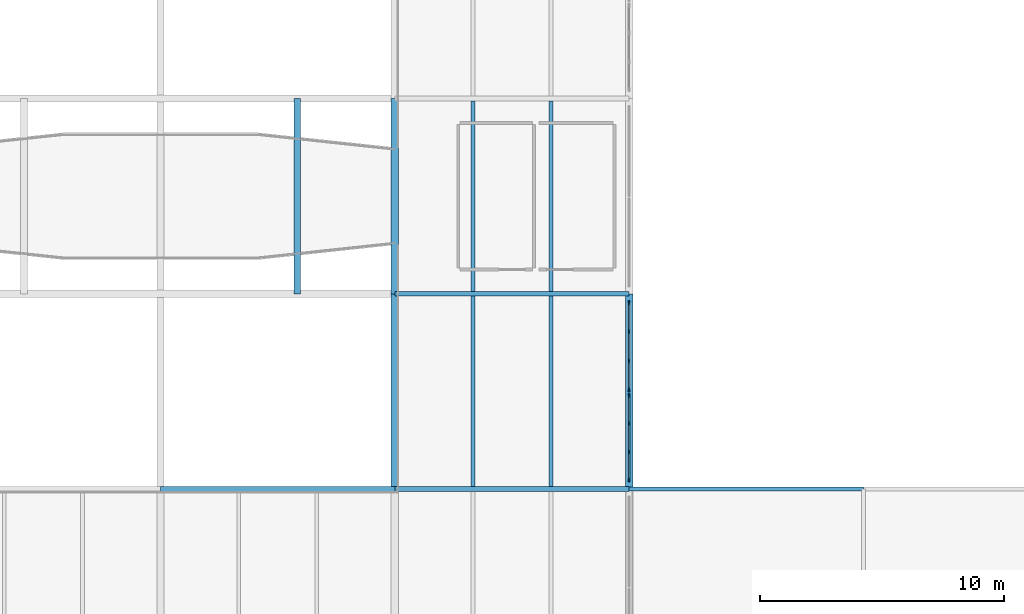
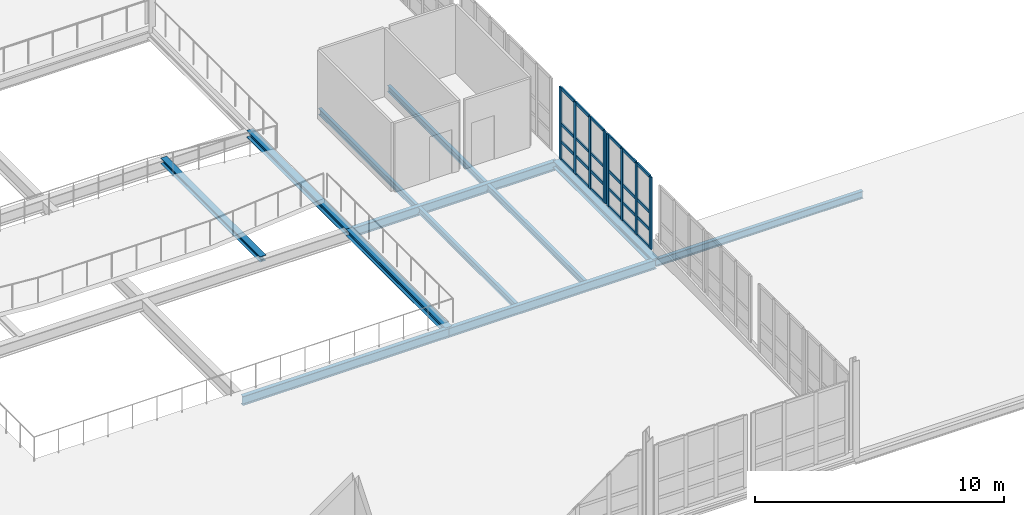
# One storey, part 30 of 73: 32 members, 12 beams, 2 elements without a shape of their own.
"""IFC4 building model written with IfcOpenShell, lengths in metres."""

import ifcopenshell
import ifcopenshell.guid

model = None  # the IFC model being written
_history = None  # IfcOwnerHistory: only IFC2X3 demands one
_inside = {}  # id of a spatial element -> (the spatial element, [elements in it])
_under = {}  # id of a project, library or spatial element -> (it, [spatial elements below it])
_declared = {}  # id of a project -> (the project, [libraries it declares])
_typed = {}  # id of a type object -> (the type object, [elements of that type])
_made_of = {}  # id of a material, layer set ... -> (it, [elements and type objects made of it])


def new_model(schema):
    """Start an empty IFC model of exactly this schema.

    Asked for "IFC4X3", IfcOpenShell would pick the latest addendum, in which some entities
    have other attributes; the version numbers below select the first issue.
    IFC2X3 requires an IfcOwnerHistory on every rooted entity: one is made here for all.
    """
    global model, _history
    if schema == "IFC4X3":
        model = ifcopenshell.file(schema_version=(4, 3, 0, 0))
    else:
        model = ifcopenshell.file(schema=schema)
    _inside.clear()
    _under.clear()
    _declared.clear()
    _typed.clear()
    _made_of.clear()
    _history = None
    if model.schema == "IFC2X3":
        org = make("IfcOrganization", Name="unknown")
        user = make(
            "IfcPersonAndOrganization",
            ThePerson=make("IfcPerson", FamilyName="unknown"),
            TheOrganization=org,
        )
        app = make(
            "IfcApplication",
            ApplicationDeveloper=org,
            Version="unknown",
            ApplicationFullName="unknown",
            ApplicationIdentifier="unknown",
        )
        _history = make(
            "IfcOwnerHistory",
            OwningUser=user,
            OwningApplication=app,
            ChangeAction="ADDED",
            CreationDate=0,
        )
    return model


def make(cls, **values):
    """One entity of the class cls with the attributes given. An attribute that is None is left unset."""
    return model.create_entity(
        cls, **{name: value for name, value in values.items() if value is not None}
    )


def rooted(cls, **values):
    """An entity with a GlobalId (a new one), such as an element, a storey or a relation."""
    return make(cls, GlobalId=ifcopenshell.guid.new(), OwnerHistory=_history, **values)


def si_unit(unit_type, name, prefix=None):
    """IfcSIUnit, for example si_unit("LENGTHUNIT", "METRE", prefix="MILLI")."""
    return make("IfcSIUnit", UnitType=unit_type, Prefix=prefix, Name=name)


def assignment(units):
    """IfcUnitAssignment: the units of a project."""
    return None if units is None else make("IfcUnitAssignment", Units=units)


def point(xyz):
    """IfcCartesianPoint."""
    return None if xyz is None else make("IfcCartesianPoint", Coordinates=xyz)


def direction(xyz):
    """IfcDirection."""
    return None if xyz is None else make("IfcDirection", DirectionRatios=xyz)


def frame(location, z_axis=None, x_axis=None):
    """IfcAxis2Placement3D, a coordinate frame: its origin and axes. An axis left out is left unset."""
    return make(
        "IfcAxis2Placement3D",
        Location=point(location),
        Axis=direction(z_axis),
        RefDirection=direction(x_axis),
    )


def frame_2d(location, x_axis=None):
    """IfcAxis2Placement2D, a coordinate frame in the plane: its origin and x axis."""
    return make(
        "IfcAxis2Placement2D", Location=point(location), RefDirection=direction(x_axis)
    )


def origin():
    """The frame at (0, 0, 0) with its axes left unset."""
    return frame((0.0, 0.0, 0.0))


def origin_2d():
    """The frame at (0, 0) in the plane with its x axis left unset."""
    return frame_2d((0.0, 0.0))


def place(relative_to, where):
    """IfcLocalPlacement: puts the frame where relative to a parent placement (None: the world)."""
    return make(
        "IfcLocalPlacement", PlacementRelTo=relative_to, RelativePlacement=where
    )


def context(
    kind, dimensions, precision=None, world=None, true_north=None, identifier=None
):
    """IfcGeometricRepresentationContext, for example the 3D "Model" context."""
    return make(
        "IfcGeometricRepresentationContext",
        ContextIdentifier=identifier,
        ContextType=kind,
        CoordinateSpaceDimension=dimensions,
        Precision=precision,
        WorldCoordinateSystem=world,
        TrueNorth=true_north,
    )


def subcontext(parent, identifier, kind, view, scale=None):
    """IfcGeometricRepresentationSubContext, for example "Body" below "Model"."""
    return make(
        "IfcGeometricRepresentationSubContext",
        ContextIdentifier=identifier,
        ContextType=kind,
        ParentContext=parent,
        TargetScale=scale,
        TargetView=view,
    )


def project(units=None, contexts=None):
    """IfcProject with its units and contexts."""
    return rooted(
        "IfcProject",
        Name="project",
        RepresentationContexts=contexts,
        UnitsInContext=assignment(units),
    )


def spatial(cls, under=None, at=None, **own):
    """A site, building, storey or space (cls), placed at a placement, below another one or the project."""
    s = rooted(cls, ObjectPlacement=at, **own)
    if under is not None:
        _under.setdefault(under.id(), (under, []))[1].append(s)
    return s


def profile(cls, at=None, kind="AREA", **sizes):
    """A parametric profile (cls). Its sizes go by their IFC names, for example OverallWidth=200.0."""
    return make(cls, ProfileType=kind, Position=at, **sizes)


def rectangle(**sizes):
    """IfcRectangleProfileDef."""
    return profile("IfcRectangleProfileDef", **sizes)


def i_section(**sizes):
    """IfcIShapeProfileDef."""
    return profile("IfcIShapeProfileDef", **sizes)


def extrude(swept, where, along, depth):
    """IfcExtrudedAreaSolid: the profile swept, set in the frame where, extruded along a direction by depth."""
    return make(
        "IfcExtrudedAreaSolid",
        SweptArea=swept,
        Position=where,
        ExtrudedDirection=direction(along),
        Depth=depth,
    )


def shape(context_of_items, identifier, shape_type, items):
    """IfcShapeRepresentation: the items that make up one representation, for example the "Body"."""
    return make(
        "IfcShapeRepresentation",
        ContextOfItems=context_of_items,
        RepresentationIdentifier=identifier,
        RepresentationType=shape_type,
        Items=items,
    )


def material(Name=None, Category=None):
    """IfcMaterial."""
    return make("IfcMaterial", Name=Name, Category=Category)


def layer(
    of_material, thickness, ventilated=None, Name=None, Category=None, Priority=None
):
    """IfcMaterialLayer: one layer of a wall or slab, of a material (None: an air gap)."""
    return make(
        "IfcMaterialLayer",
        Material=of_material,
        LayerThickness=thickness,
        IsVentilated=ventilated,
        Name=Name,
        Category=Category,
        Priority=Priority,
    )


def layer_set(layers, Name=None):
    """IfcMaterialLayerSet."""
    return make("IfcMaterialLayerSet", MaterialLayers=layers, LayerSetName=Name)


def material_profile(
    of_material, cross_section, Name=None, Category=None, Priority=None
):
    """IfcMaterialProfile: a cross section and its material."""
    return make(
        "IfcMaterialProfile",
        Name=Name,
        Material=of_material,
        Profile=cross_section,
        Priority=Priority,
        Category=Category,
    )


def profile_set(profiles, Name=None, composite=None):
    """IfcMaterialProfileSet."""
    return make(
        "IfcMaterialProfileSet",
        Name=Name,
        MaterialProfiles=profiles,
        CompositeProfile=composite,
    )


def made_of(thing, what):
    """Note that an element or type object is made of a material, layer set ...; save() writes the relation."""
    if what is not None:
        _made_of.setdefault(what.id(), (what, []))[1].append(thing)
    return thing


def type_object(cls, material=None, **own):
    """A type object (cls), such as IfcWallType, which elements share."""
    return made_of(rooted(cls, **own), material)


def element(
    cls,
    number,
    at=None,
    inside=None,
    cuts=None,
    type_object=None,
    material=None,
    context=None,
    identifier="Body",
    shape_type=None,
    held_by="IfcProductDefinitionShape",
    body=None,
    shapes=None,
    **own,
):
    """One element of the class cls, such as IfcWall. Its Tag is "e" and its number.

    at: its placement. inside: the storey or other place that contains it. cuts: it is an
    opening in that element (IfcRelVoidsElement). A single representation is given by context,
    identifier, shape_type and body (its items); several are given by shapes. held_by: the class
    of the entity that holds the representations. save() writes the other relations.
    """
    e = rooted(cls, Tag="e%d" % number, ObjectPlacement=at, **own)
    if body is not None:
        shapes = [shape(context, identifier, shape_type, body)]
    if shapes is not None:
        e.Representation = make(held_by, Representations=shapes)
    if inside is not None:
        _inside.setdefault(inside.id(), (inside, []))[1].append(e)
    if cuts is not None:
        rooted(
            "IfcRelVoidsElement", RelatingBuildingElement=cuts, RelatedOpeningElement=e
        )
    if type_object is not None:
        _typed.setdefault(type_object.id(), (type_object, []))[1].append(e)
    return made_of(e, material)


def aggregate(whole, parts):
    """IfcRelAggregates: a whole, such as a stair, and the parts it consists of."""
    return rooted("IfcRelAggregates", RelatingObject=whole, RelatedObjects=parts)


def save(model, path):
    """Write the relations noted so far, then the file.

    IfcRelAggregates (storeys below a building ...), IfcRelContainedInSpatialStructure (elements
    in a storey), IfcRelDefinesByType, IfcRelAssociatesMaterial and IfcRelDeclares: one each for
    every whole, place, type object, material and project.
    """
    for whole, parts in _under.values():
        aggregate(whole, parts)
    for where, things in _inside.values():
        rooted(
            "IfcRelContainedInSpatialStructure",
            RelatedElements=things,
            RelatingStructure=where,
        )
    for kind, things in _typed.values():
        rooted("IfcRelDefinesByType", RelatedObjects=things, RelatingType=kind)
    for what, things in _made_of.values():
        rooted("IfcRelAssociatesMaterial", RelatedObjects=things, RelatingMaterial=what)
    for by, libraries in _declared.values():
        rooted("IfcRelDeclares", RelatingContext=by, RelatedDefinitions=libraries)
    model.write(path)


model = new_model("IFC4")

# Units and contexts
model_context = context("Model", 3, precision=1e-05, world=origin(), true_north=direction((0.0, 1.0)))
body_context = subcontext(model_context, "Body", "Model", "MODEL_VIEW")
ifc_project = project(units=[si_unit("LENGTHUNIT", "METRE"), si_unit("AREAUNIT", "SQUARE_METRE"), si_unit("VOLUMEUNIT", "CUBIC_METRE"), si_unit("PLANEANGLEUNIT", "RADIAN"), si_unit("MASSUNIT", "GRAM", prefix="KILO")], contexts=[model_context])

# Site, building, storey
site_placement = place(None, origin())
site = spatial("IfcSite", under=ifc_project, at=site_placement, CompositionType="ELEMENT")
building_placement = place(site_placement, origin())
building = spatial("IfcBuilding", under=site, at=building_placement, Name="Alderhovde Museum", CompositionType="ELEMENT")
storey_placement = place(building_placement, frame((0.0, 0.0, 12.89990234375)))
storey = spatial("IfcBuildingStorey", under=building, at=storey_placement, Name="L03", CompositionType="ELEMENT", Elevation=12.89990234375)

# Beams
ifc_material_1 = material(Name="Steel S355J2", Category="steel")
ifc_material_profile_1 = material_profile(ifc_material_1, i_section(OverallWidth=0.280029296875, OverallDepth=0.27001953125, WebThickness=0.008056640625, FlangeThickness=0.012939453125, FilletRadius=0.02392578125, at=origin_2d()), Name="HEA 280")
ifc_profile_set_1 = profile_set([ifc_material_profile_1], Name="Steel S355J2")
beam_type_1 = type_object("IfcBeamType", Name="BM-HEA280", PredefinedType="BEAM", material=ifc_profile_set_1)
beam_1_placement = place(storey_placement, frame((101.60009765625, 56.0, -0.35498046875), z_axis=(0.0, 1.0, 0.0), x_axis=(-1.0, 0.0, 0.0)))
element("IfcBeam", 1, at=beam_1_placement, inside=storey, type_object=beam_type_1, Name="L03 Atrium Bridge Bearer X=101.6", PredefinedType="BEAM", context=body_context, shape_type="SweptSolid", body=[
    extrude(i_section(OverallWidth=0.280029296875, OverallDepth=0.27001953125, WebThickness=0.008056640625, FlangeThickness=0.012939453125, FilletRadius=0.02392578125, at=origin_2d()), origin(), (0.0, 0.0, 1.0), 8.0),
])
ifc_material_2 = material(Name="Steel S355J2", Category="steel")
ifc_material_profile_2 = material_profile(ifc_material_2, i_section(OverallWidth=0.300048828125, OverallDepth=0.330078125, WebThickness=0.009521484375, FlangeThickness=0.0166015625, FilletRadius=0.027099609375, at=origin_2d()), Name="HEA 340")
ifc_profile_set_2 = profile_set([ifc_material_profile_2], Name="Steel S355J2")
beam_type_2 = type_object("IfcBeamType", Name="BM-HEA340", PredefinedType="BEAM", material=ifc_profile_set_2)
for number, where, z_axis, x_axis, name in (
    (2, (105.60009765625, 48.0, -0.4248046875), (0.0, 1.0, 0.0), (-1.0, 0.0, 0.0), "L03 Grid Beam X=105.6 (48.0 TO 56.0)"),
    (3, (105.60009765625, 56.0, -0.4248046875), (0.0, 1.0, 0.0), (-1.0, 0.0, 0.0), "L03 Grid Beam X=105.6 (56.0 TO 64.0)"),
    (4, (115.199951171875, 48.0, -0.4248046875), (0.0, 1.0, 0.0), (-1.0, 0.0, 0.0), "L03 Grid Beam X=115.2 (48.0 TO 56.0)"),
):
    element("IfcBeam", number, at=place(storey_placement, frame(where, z_axis=z_axis, x_axis=x_axis)), inside=storey, type_object=beam_type_2, Name=name, PredefinedType="BEAM", context=body_context, shape_type="SweptSolid", body=[
        extrude(i_section(OverallWidth=0.300048828125, OverallDepth=0.330078125, WebThickness=0.009521484375, FlangeThickness=0.0166015625, FilletRadius=0.027099609375, at=origin_2d()), origin(), (0.0, 0.0, 1.0), 8.0),
    ])
ifc_material_3 = material(Name="Steel S355J2", Category="steel")
ifc_material_profile_3 = material_profile(ifc_material_3, i_section(OverallWidth=0.169921875, OverallDepth=0.360107421875, WebThickness=0.008056640625, FlangeThickness=0.0126953125, FilletRadius=0.01806640625, at=origin_2d()), Name="IPE 360")
ifc_profile_set_3 = profile_set([ifc_material_profile_3], Name="Steel S355J2")
beam_type_3 = type_object("IfcBeamType", Name="BM-IPE360", PredefinedType="BEAM", material=ifc_profile_set_3)
beam_2_placement = place(storey_placement, frame((115.199951171875, 48.0, -0.43994140625), z_axis=(1.0, 0.0, 0.0), x_axis=(0.0, 1.0, 0.0)))
element("IfcBeam", 5, at=beam_2_placement, inside=storey, type_object=beam_type_3, Name="L03 South Step Roof Beam Y=48", PredefinedType="BEAM", context=body_context, shape_type="SweptSolid", body=[
    extrude(i_section(OverallWidth=0.169921875, OverallDepth=0.360107421875, WebThickness=0.008056640625, FlangeThickness=0.0126953125, FilletRadius=0.01806640625, at=origin_2d()), origin(), (0.0, 0.0, 1.0), 9.60009765625),
])
ifc_material_4 = material(Name="Steel S355J2", Category="steel")
ifc_material_profile_4 = material_profile(ifc_material_4, i_section(OverallWidth=0.18994140625, OverallDepth=0.449951171875, WebThickness=0.009521484375, FlangeThickness=0.0146484375, FilletRadius=0.02099609375, at=origin_2d()), Name="IPE 450")
ifc_profile_set_4 = profile_set([ifc_material_profile_4], Name="Steel S355J2")
beam_type_4 = type_object("IfcBeamType", Name="BM-IPE450", PredefinedType="BEAM", material=ifc_profile_set_4)
beam_3_placement = place(storey_placement, frame((96.0, 48.0, -0.48486328125), z_axis=(1.0, 0.0, 0.0), x_axis=(0.0, 1.0, 0.0)))
element("IfcBeam", 6, at=beam_3_placement, inside=storey, type_object=beam_type_4, Name="L03 Grid Beam Y=48.0 (96.0 TO 105.6)", PredefinedType="BEAM", context=body_context, shape_type="SweptSolid", body=[
    extrude(i_section(OverallWidth=0.18994140625, OverallDepth=0.449951171875, WebThickness=0.009521484375, FlangeThickness=0.0146484375, FilletRadius=0.02099609375, at=origin_2d()), origin(), (0.0, 0.0, 1.0), 9.60009765625),
])
for number, where, z_axis, x_axis, name in (
    (7, (105.60009765625, 48.0, -0.48486328125), (1.0, 0.0, 0.0), (0.0, 1.0, 0.0), "L03 Grid Beam Y=48.0 (105.6 TO 115.2)"),
    (8, (105.60009765625, 56.0, -0.48486328125), (1.0, 0.0, 0.0), (0.0, 1.0, 0.0), "L03 Grid Beam Y=56.0 (105.6 TO 115.2)"),
):
    element("IfcBeam", number, at=place(storey_placement, frame(where, z_axis=z_axis, x_axis=x_axis)), inside=storey, type_object=beam_type_4, Name=name, PredefinedType="BEAM", context=body_context, shape_type="SweptSolid", body=[
        extrude(i_section(OverallWidth=0.18994140625, OverallDepth=0.449951171875, WebThickness=0.009521484375, FlangeThickness=0.0146484375, FilletRadius=0.02099609375, at=origin_2d()), origin(), (0.0, 0.0, 1.0), 9.599853515625),
    ])

# Curtain wall, members
ifc_material_5 = material(Name="Triple-Glazed Bronze-Anodised Curtain Wall", Category="glass")
ifc_layer_1 = layer(ifc_material_5, 0.179931640625)
ifc_layer_set_1 = layer_set([ifc_layer_1], Name="Triple-Glazed Bronze-Anodised Curtain Wall")
curtain_wall_type_1 = type_object("IfcCurtainWallType", Name="CW-UNIT-350x354", PredefinedType="USERDEFINED", material=ifc_layer_set_1)
curtain_wall_1_placement = place(storey_placement, origin())
curtain_wall_1 = element("IfcCurtainWall", 9, at=curtain_wall_1_placement, inside=storey, type_object=curtain_wall_type_1, Name="L03 Unitised Curtain Wall 72", ObjectType="UNITISED CURTAIN WALL", PredefinedType="USERDEFINED")
ifc_material_6 = material(Name="Bronze-Anodised Aluminium EN AW-6063-T6", Category="aluminium")
ifc_material_profile_5 = material_profile(ifc_material_6, rectangle(XDim=0.06494140625, YDim=0.179931640625, at=origin_2d()), Name="MULLION 65x180")
ifc_profile_set_5 = profile_set([ifc_material_profile_5], Name="Bronze-Anodised Aluminium EN AW-6063-T6")
member_type_1 = type_object("IfcMemberType", Name="CWM-65x180", PredefinedType="MULLION", material=ifc_profile_set_5)
member_1_placement = place(storey_placement, frame((115.199951171875, 48.382568359375, 0.0), z_axis=(0.0, 0.0, 1.0), x_axis=(-1.0, 0.0, 0.0)))
member_1 = element("IfcMember", 10, at=member_1_placement, type_object=member_type_1, Name="CW19 mullion 1", PredefinedType="MULLION", context=body_context, shape_type="SweptSolid", body=[
    extrude(rectangle(XDim=0.06494140625, YDim=0.179931640625, at=origin_2d()), origin(), (0.0, 0.0, 1.0), 3.5400390625),
])
member_2_placement = place(storey_placement, frame((115.199951171875, 49.5166015625, 0.0), z_axis=(0.0, 0.0, 1.0), x_axis=(-1.0, 0.0, 0.0)))
member_2 = element("IfcMember", 11, at=member_2_placement, type_object=member_type_1, Name="CW19 mullion 2", PredefinedType="MULLION", context=body_context, shape_type="SweptSolid", body=[
    extrude(rectangle(XDim=0.06494140625, YDim=0.179931640625, at=origin_2d()), origin(), (0.0, 0.0, 1.0), 3.5400390625),
])
member_3_placement = place(storey_placement, frame((115.199951171875, 50.683349609375, 0.0), z_axis=(0.0, 0.0, 1.0), x_axis=(-1.0, 0.0, 0.0)))
member_3 = element("IfcMember", 12, at=member_3_placement, type_object=member_type_1, Name="CW19 mullion 3", PredefinedType="MULLION", context=body_context, shape_type="SweptSolid", body=[
    extrude(rectangle(XDim=0.06494140625, YDim=0.179931640625, at=origin_2d()), origin(), (0.0, 0.0, 1.0), 3.5400390625),
])
member_4_placement = place(storey_placement, frame((115.199951171875, 51.8173828125, 0.0), z_axis=(0.0, 0.0, 1.0), x_axis=(-1.0, 0.0, 0.0)))
member_4 = element("IfcMember", 13, at=member_4_placement, type_object=member_type_1, Name="CW19 mullion 4", PredefinedType="MULLION", context=body_context, shape_type="SweptSolid", body=[
    extrude(rectangle(XDim=0.06494140625, YDim=0.179931640625, at=origin_2d()), origin(), (0.0, 0.0, 1.0), 3.5400390625),
])

ifc_material_7 = material(Name="Triple-Glazed Bronze-Anodised Curtain Wall", Category="glass")
ifc_layer_2 = layer(ifc_material_7, 0.179931640625)
ifc_layer_set_2 = layer_set([ifc_layer_2], Name="Triple-Glazed Bronze-Anodised Curtain Wall")
curtain_wall_type_2 = type_object("IfcCurtainWallType", Name="CW-UNIT-360x354", PredefinedType="USERDEFINED", material=ifc_layer_set_2)
curtain_wall_2_placement = place(storey_placement, origin())
curtain_wall_2 = element("IfcCurtainWall", 14, at=curtain_wall_2_placement, inside=storey, type_object=curtain_wall_type_2, Name="L03 Unitised Curtain Wall 73", ObjectType="UNITISED CURTAIN WALL", PredefinedType="USERDEFINED")
member_5_placement = place(storey_placement, frame((115.199951171875, 52.08251953125, 0.0), z_axis=(0.0, 0.0, 1.0), x_axis=(-1.0, 0.0, 0.0)))
member_5 = element("IfcMember", 15, at=member_5_placement, type_object=member_type_1, Name="CW20 mullion 1", PredefinedType="MULLION", context=body_context, shape_type="SweptSolid", body=[
    extrude(rectangle(XDim=0.06494140625, YDim=0.179931640625, at=origin_2d()), origin(), (0.0, 0.0, 1.0), 3.5400390625),
])
member_6_placement = place(storey_placement, frame((115.199951171875, 53.25, 0.0), z_axis=(0.0, 0.0, 1.0), x_axis=(-1.0, 0.0, 0.0)))
member_6 = element("IfcMember", 16, at=member_6_placement, type_object=member_type_1, Name="CW20 mullion 2", PredefinedType="MULLION", context=body_context, shape_type="SweptSolid", body=[
    extrude(rectangle(XDim=0.06494140625, YDim=0.179931640625, at=origin_2d()), origin(), (0.0, 0.0, 1.0), 3.5400390625),
])
member_7_placement = place(storey_placement, frame((115.199951171875, 54.449951171875, 0.0), z_axis=(0.0, 0.0, 1.0), x_axis=(-1.0, 0.0, 0.0)))
member_7 = element("IfcMember", 17, at=member_7_placement, type_object=member_type_1, Name="CW20 mullion 3", PredefinedType="MULLION", context=body_context, shape_type="SweptSolid", body=[
    extrude(rectangle(XDim=0.06494140625, YDim=0.179931640625, at=origin_2d()), origin(), (0.0, 0.0, 1.0), 3.5400390625),
])
member_8_placement = place(storey_placement, frame((115.199951171875, 55.617431640625, 0.0), z_axis=(0.0, 0.0, 1.0), x_axis=(-1.0, 0.0, 0.0)))
member_8 = element("IfcMember", 18, at=member_8_placement, type_object=member_type_1, Name="CW20 mullion 4", PredefinedType="MULLION", context=body_context, shape_type="SweptSolid", body=[
    extrude(rectangle(XDim=0.06494140625, YDim=0.179931640625, at=origin_2d()), origin(), (0.0, 0.0, 1.0), 3.5400390625),
])

# Member
ifc_material_8 = material(Name="Bronze-Anodised Aluminium EN AW-6063-T6", Category="aluminium")
ifc_material_profile_6 = material_profile(ifc_material_8, rectangle(XDim=0.06494140625, YDim=0.139892578125, at=origin_2d()), Name="TRANSOM 65x140")
ifc_profile_set_6 = profile_set([ifc_material_profile_6], Name="Bronze-Anodised Aluminium EN AW-6063-T6")
member_type_2 = type_object("IfcMemberType", Name="CWT-65x140", PredefinedType="USERDEFINED", material=ifc_profile_set_6)
member_9_placement = place(storey_placement, frame((115.199951171875, 48.4150390625, 0.03271484375), z_axis=(0.0, 1.0, 0.0), x_axis=(-1.0, 0.0, 0.0)))
member_9 = element("IfcMember", 19, at=member_9_placement, type_object=member_type_2, Name="CW19 transom 1.1", ObjectType="TRANSOM", PredefinedType="USERDEFINED", context=body_context, shape_type="SweptSolid", body=[
    extrude(rectangle(XDim=0.06494140625, YDim=0.139892578125, at=origin_2d()), origin(), (0.0, 0.0, 1.0), 1.069091796875),
])

member_10_placement = place(storey_placement, frame((115.199951171875, 48.4150390625, 0.900146484375), z_axis=(0.0, 1.0, 0.0), x_axis=(-1.0, 0.0, 0.0)))
member_10 = element("IfcMember", 20, at=member_10_placement, type_object=member_type_2, Name="CW19 transom 1.2", ObjectType="TRANSOM", PredefinedType="USERDEFINED", context=body_context, shape_type="SweptSolid", body=[
    extrude(rectangle(XDim=0.06494140625, YDim=0.139892578125, at=origin_2d()), origin(), (0.0, 0.0, 1.0), 1.069091796875),
])

member_11_placement = place(storey_placement, frame((115.199951171875, 48.4150390625, 1.77001953125), z_axis=(0.0, 1.0, 0.0), x_axis=(-1.0, 0.0, 0.0)))
member_11 = element("IfcMember", 21, at=member_11_placement, type_object=member_type_2, Name="CW19 transom 1.3", ObjectType="TRANSOM", PredefinedType="USERDEFINED", context=body_context, shape_type="SweptSolid", body=[
    extrude(rectangle(XDim=0.06494140625, YDim=0.139892578125, at=origin_2d()), origin(), (0.0, 0.0, 1.0), 1.069091796875),
])

member_12_placement = place(storey_placement, frame((115.199951171875, 48.4150390625, 3.507568359375), z_axis=(0.0, 1.0, 0.0), x_axis=(-1.0, 0.0, 0.0)))
member_12 = element("IfcMember", 22, at=member_12_placement, type_object=member_type_2, Name="CW19 transom 1.4", ObjectType="TRANSOM", PredefinedType="USERDEFINED", context=body_context, shape_type="SweptSolid", body=[
    extrude(rectangle(XDim=0.06494140625, YDim=0.139892578125, at=origin_2d()), origin(), (0.0, 0.0, 1.0), 1.069091796875),
])

member_13_placement = place(storey_placement, frame((115.199951171875, 49.549072265625, 0.03271484375), z_axis=(0.0, 1.0, 0.0), x_axis=(-1.0, 0.0, 0.0)))
member_13 = element("IfcMember", 23, at=member_13_placement, type_object=member_type_2, Name="CW19 transom 2.1", ObjectType="TRANSOM", PredefinedType="USERDEFINED", context=body_context, shape_type="SweptSolid", body=[
    extrude(rectangle(XDim=0.06494140625, YDim=0.139892578125, at=origin_2d()), origin(), (0.0, 0.0, 1.0), 1.101806640625),
])

member_14_placement = place(storey_placement, frame((115.199951171875, 49.549072265625, 0.900146484375), z_axis=(0.0, 1.0, 0.0), x_axis=(-1.0, 0.0, 0.0)))
member_14 = element("IfcMember", 24, at=member_14_placement, type_object=member_type_2, Name="CW19 transom 2.2", ObjectType="TRANSOM", PredefinedType="USERDEFINED", context=body_context, shape_type="SweptSolid", body=[
    extrude(rectangle(XDim=0.06494140625, YDim=0.139892578125, at=origin_2d()), origin(), (0.0, 0.0, 1.0), 1.101806640625),
])

member_15_placement = place(storey_placement, frame((115.199951171875, 49.549072265625, 1.77001953125), z_axis=(0.0, 1.0, 0.0), x_axis=(-1.0, 0.0, 0.0)))
member_15 = element("IfcMember", 25, at=member_15_placement, type_object=member_type_2, Name="CW19 transom 2.3", ObjectType="TRANSOM", PredefinedType="USERDEFINED", context=body_context, shape_type="SweptSolid", body=[
    extrude(rectangle(XDim=0.06494140625, YDim=0.139892578125, at=origin_2d()), origin(), (0.0, 0.0, 1.0), 1.101806640625),
])

member_16_placement = place(storey_placement, frame((115.199951171875, 49.549072265625, 3.507568359375), z_axis=(0.0, 1.0, 0.0), x_axis=(-1.0, 0.0, 0.0)))
member_16 = element("IfcMember", 26, at=member_16_placement, type_object=member_type_2, Name="CW19 transom 2.4", ObjectType="TRANSOM", PredefinedType="USERDEFINED", context=body_context, shape_type="SweptSolid", body=[
    extrude(rectangle(XDim=0.06494140625, YDim=0.139892578125, at=origin_2d()), origin(), (0.0, 0.0, 1.0), 1.101806640625),
])

member_17_placement = place(storey_placement, frame((115.199951171875, 50.7158203125, 0.03271484375), z_axis=(0.0, 1.0, 0.0), x_axis=(-1.0, 0.0, 0.0)))
member_17 = element("IfcMember", 27, at=member_17_placement, type_object=member_type_2, Name="CW19 transom 3.1", ObjectType="TRANSOM", PredefinedType="USERDEFINED", context=body_context, shape_type="SweptSolid", body=[
    extrude(rectangle(XDim=0.06494140625, YDim=0.139892578125, at=origin_2d()), origin(), (0.0, 0.0, 1.0), 1.069091796875),
])

member_18_placement = place(storey_placement, frame((115.199951171875, 50.7158203125, 0.900146484375), z_axis=(0.0, 1.0, 0.0), x_axis=(-1.0, 0.0, 0.0)))
member_18 = element("IfcMember", 28, at=member_18_placement, type_object=member_type_2, Name="CW19 transom 3.2", ObjectType="TRANSOM", PredefinedType="USERDEFINED", context=body_context, shape_type="SweptSolid", body=[
    extrude(rectangle(XDim=0.06494140625, YDim=0.139892578125, at=origin_2d()), origin(), (0.0, 0.0, 1.0), 1.069091796875),
])

member_19_placement = place(storey_placement, frame((115.199951171875, 50.7158203125, 1.77001953125), z_axis=(0.0, 1.0, 0.0), x_axis=(-1.0, 0.0, 0.0)))
member_19 = element("IfcMember", 29, at=member_19_placement, type_object=member_type_2, Name="CW19 transom 3.3", ObjectType="TRANSOM", PredefinedType="USERDEFINED", context=body_context, shape_type="SweptSolid", body=[
    extrude(rectangle(XDim=0.06494140625, YDim=0.139892578125, at=origin_2d()), origin(), (0.0, 0.0, 1.0), 1.069091796875),
])

member_20_placement = place(storey_placement, frame((115.199951171875, 50.7158203125, 3.507568359375), z_axis=(0.0, 1.0, 0.0), x_axis=(-1.0, 0.0, 0.0)))
member_20 = element("IfcMember", 30, at=member_20_placement, type_object=member_type_2, Name="CW19 transom 3.4", ObjectType="TRANSOM", PredefinedType="USERDEFINED", context=body_context, shape_type="SweptSolid", body=[
    extrude(rectangle(XDim=0.06494140625, YDim=0.139892578125, at=origin_2d()), origin(), (0.0, 0.0, 1.0), 1.069091796875),
])

aggregate(curtain_wall_1, [member_1, member_2, member_3, member_4, member_9, member_10, member_11, member_12, member_13, member_14, member_15, member_16, member_17, member_18, member_19, member_20])

member_21_placement = place(storey_placement, frame((115.199951171875, 52.114990234375, 0.03271484375), z_axis=(0.0, 1.0, 0.0), x_axis=(-1.0, 0.0, 0.0)))
member_21 = element("IfcMember", 31, at=member_21_placement, type_object=member_type_2, Name="CW20 transom 1.1", ObjectType="TRANSOM", PredefinedType="USERDEFINED", context=body_context, shape_type="SweptSolid", body=[
    extrude(rectangle(XDim=0.06494140625, YDim=0.139892578125, at=origin_2d()), origin(), (0.0, 0.0, 1.0), 1.1025390625),
])

member_22_placement = place(storey_placement, frame((115.199951171875, 52.114990234375, 0.900146484375), z_axis=(0.0, 1.0, 0.0), x_axis=(-1.0, 0.0, 0.0)))
member_22 = element("IfcMember", 32, at=member_22_placement, type_object=member_type_2, Name="CW20 transom 1.2", ObjectType="TRANSOM", PredefinedType="USERDEFINED", context=body_context, shape_type="SweptSolid", body=[
    extrude(rectangle(XDim=0.06494140625, YDim=0.139892578125, at=origin_2d()), origin(), (0.0, 0.0, 1.0), 1.1025390625),
])

member_23_placement = place(storey_placement, frame((115.199951171875, 52.114990234375, 1.77001953125), z_axis=(0.0, 1.0, 0.0), x_axis=(-1.0, 0.0, 0.0)))
member_23 = element("IfcMember", 33, at=member_23_placement, type_object=member_type_2, Name="CW20 transom 1.3", ObjectType="TRANSOM", PredefinedType="USERDEFINED", context=body_context, shape_type="SweptSolid", body=[
    extrude(rectangle(XDim=0.06494140625, YDim=0.139892578125, at=origin_2d()), origin(), (0.0, 0.0, 1.0), 1.1025390625),
])

member_24_placement = place(storey_placement, frame((115.199951171875, 52.114990234375, 3.507568359375), z_axis=(0.0, 1.0, 0.0), x_axis=(-1.0, 0.0, 0.0)))
member_24 = element("IfcMember", 34, at=member_24_placement, type_object=member_type_2, Name="CW20 transom 1.4", ObjectType="TRANSOM", PredefinedType="USERDEFINED", context=body_context, shape_type="SweptSolid", body=[
    extrude(rectangle(XDim=0.06494140625, YDim=0.139892578125, at=origin_2d()), origin(), (0.0, 0.0, 1.0), 1.1025390625),
])

member_25_placement = place(storey_placement, frame((115.199951171875, 53.282470703125, 0.03271484375), z_axis=(0.0, 1.0, 0.0), x_axis=(-1.0, 0.0, 0.0)))
member_25 = element("IfcMember", 35, at=member_25_placement, type_object=member_type_2, Name="CW20 transom 2.1", ObjectType="TRANSOM", PredefinedType="USERDEFINED", context=body_context, shape_type="SweptSolid", body=[
    extrude(rectangle(XDim=0.06494140625, YDim=0.139892578125, at=origin_2d()), origin(), (0.0, 0.0, 1.0), 1.135009765625),
])

member_26_placement = place(storey_placement, frame((115.199951171875, 53.282470703125, 0.900146484375), z_axis=(0.0, 1.0, 0.0), x_axis=(-1.0, 0.0, 0.0)))
member_26 = element("IfcMember", 36, at=member_26_placement, type_object=member_type_2, Name="CW20 transom 2.2", ObjectType="TRANSOM", PredefinedType="USERDEFINED", context=body_context, shape_type="SweptSolid", body=[
    extrude(rectangle(XDim=0.06494140625, YDim=0.139892578125, at=origin_2d()), origin(), (0.0, 0.0, 1.0), 1.135009765625),
])

member_27_placement = place(storey_placement, frame((115.199951171875, 53.282470703125, 1.77001953125), z_axis=(0.0, 1.0, 0.0), x_axis=(-1.0, 0.0, 0.0)))
member_27 = element("IfcMember", 37, at=member_27_placement, type_object=member_type_2, Name="CW20 transom 2.3", ObjectType="TRANSOM", PredefinedType="USERDEFINED", context=body_context, shape_type="SweptSolid", body=[
    extrude(rectangle(XDim=0.06494140625, YDim=0.139892578125, at=origin_2d()), origin(), (0.0, 0.0, 1.0), 1.135009765625),
])

member_28_placement = place(storey_placement, frame((115.199951171875, 53.282470703125, 3.507568359375), z_axis=(0.0, 1.0, 0.0), x_axis=(-1.0, 0.0, 0.0)))
member_28 = element("IfcMember", 38, at=member_28_placement, type_object=member_type_2, Name="CW20 transom 2.4", ObjectType="TRANSOM", PredefinedType="USERDEFINED", context=body_context, shape_type="SweptSolid", body=[
    extrude(rectangle(XDim=0.06494140625, YDim=0.139892578125, at=origin_2d()), origin(), (0.0, 0.0, 1.0), 1.135009765625),
])

member_29_placement = place(storey_placement, frame((115.199951171875, 54.482421875, 0.03271484375), z_axis=(0.0, 1.0, 0.0), x_axis=(-1.0, 0.0, 0.0)))
member_29 = element("IfcMember", 39, at=member_29_placement, type_object=member_type_2, Name="CW20 transom 3.1", ObjectType="TRANSOM", PredefinedType="USERDEFINED", context=body_context, shape_type="SweptSolid", body=[
    extrude(rectangle(XDim=0.06494140625, YDim=0.139892578125, at=origin_2d()), origin(), (0.0, 0.0, 1.0), 1.1025390625),
])

member_30_placement = place(storey_placement, frame((115.199951171875, 54.482421875, 0.900146484375), z_axis=(0.0, 1.0, 0.0), x_axis=(-1.0, 0.0, 0.0)))
member_30 = element("IfcMember", 40, at=member_30_placement, type_object=member_type_2, Name="CW20 transom 3.2", ObjectType="TRANSOM", PredefinedType="USERDEFINED", context=body_context, shape_type="SweptSolid", body=[
    extrude(rectangle(XDim=0.06494140625, YDim=0.139892578125, at=origin_2d()), origin(), (0.0, 0.0, 1.0), 1.1025390625),
])

member_31_placement = place(storey_placement, frame((115.199951171875, 54.482421875, 1.77001953125), z_axis=(0.0, 1.0, 0.0), x_axis=(-1.0, 0.0, 0.0)))
member_31 = element("IfcMember", 41, at=member_31_placement, type_object=member_type_2, Name="CW20 transom 3.3", ObjectType="TRANSOM", PredefinedType="USERDEFINED", context=body_context, shape_type="SweptSolid", body=[
    extrude(rectangle(XDim=0.06494140625, YDim=0.139892578125, at=origin_2d()), origin(), (0.0, 0.0, 1.0), 1.1025390625),
])

member_32_placement = place(storey_placement, frame((115.199951171875, 54.482421875, 3.507568359375), z_axis=(0.0, 1.0, 0.0), x_axis=(-1.0, 0.0, 0.0)))
member_32 = element("IfcMember", 42, at=member_32_placement, type_object=member_type_2, Name="CW20 transom 3.4", ObjectType="TRANSOM", PredefinedType="USERDEFINED", context=body_context, shape_type="SweptSolid", body=[
    extrude(rectangle(XDim=0.06494140625, YDim=0.139892578125, at=origin_2d()), origin(), (0.0, 0.0, 1.0), 1.1025390625),
])

aggregate(curtain_wall_2, [member_5, member_6, member_7, member_8, member_21, member_22, member_23, member_24, member_25, member_26, member_27, member_28, member_29, member_30, member_31, member_32])

# Beams
ifc_material_9 = material(Name="Steel S355J2", Category="steel")
ifc_material_profile_7 = material_profile(ifc_material_9, i_section(OverallWidth=0.14990234375, OverallDepth=0.300048828125, WebThickness=0.007080078125, FlangeThickness=0.0107421875, FilletRadius=0.014892578125, at=origin_2d()), Name="IPE 300")
ifc_profile_set_7 = profile_set([ifc_material_profile_7], Name="Steel S355J2")
beam_type_5 = type_object("IfcBeamType", Name="JST-IPE300", PredefinedType="JOIST", material=ifc_profile_set_7)
for number, where, z_axis, x_axis, name in (
    (43, (108.800048828125, 48.094970703125, -0.409912109375), (0.0, 1.0, 0.0), (-1.0, 0.0, 0.0), "L03 Composite Joist X=108.8 (48.0 TO 56.0)"),
    (44, (112.0, 48.094970703125, -0.409912109375), (0.0, 1.0, 0.0), (-1.0, 0.0, 0.0), "L03 Composite Joist X=112.0 (48.0 TO 56.0)"),
    (45, (108.800048828125, 56.094970703125, -0.409912109375), (0.0, 1.0, 0.0), (-1.0, 0.0, 0.0), "L03 Composite Joist X=108.8 (56.0 TO 64.0)"),
    (46, (112.0, 56.094970703125, -0.409912109375), (0.0, 1.0, 0.0), (-1.0, 0.0, 0.0), "L03 Composite Joist X=112.0 (56.0 TO 64.0)"),
):
    element("IfcBeam", number, at=place(storey_placement, frame(where, z_axis=z_axis, x_axis=x_axis)), inside=storey, type_object=beam_type_5, Name=name, PredefinedType="JOIST", context=body_context, shape_type="SweptSolid", body=[
        extrude(i_section(OverallWidth=0.14990234375, OverallDepth=0.300048828125, WebThickness=0.007080078125, FlangeThickness=0.0107421875, FilletRadius=0.014892578125, at=origin_2d()), origin(), (0.0, 0.0, 1.0), 7.81005859375),
    ])

save(model, "model.ifc")
